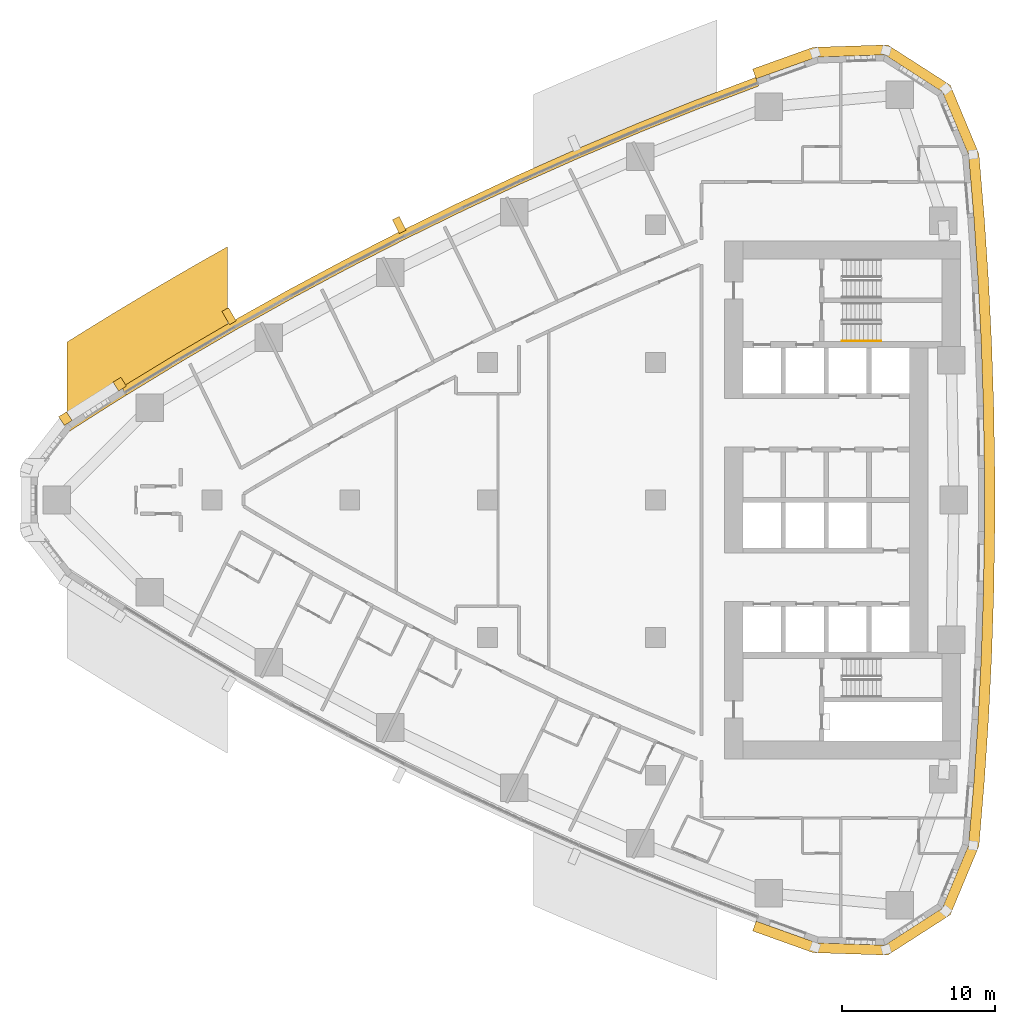
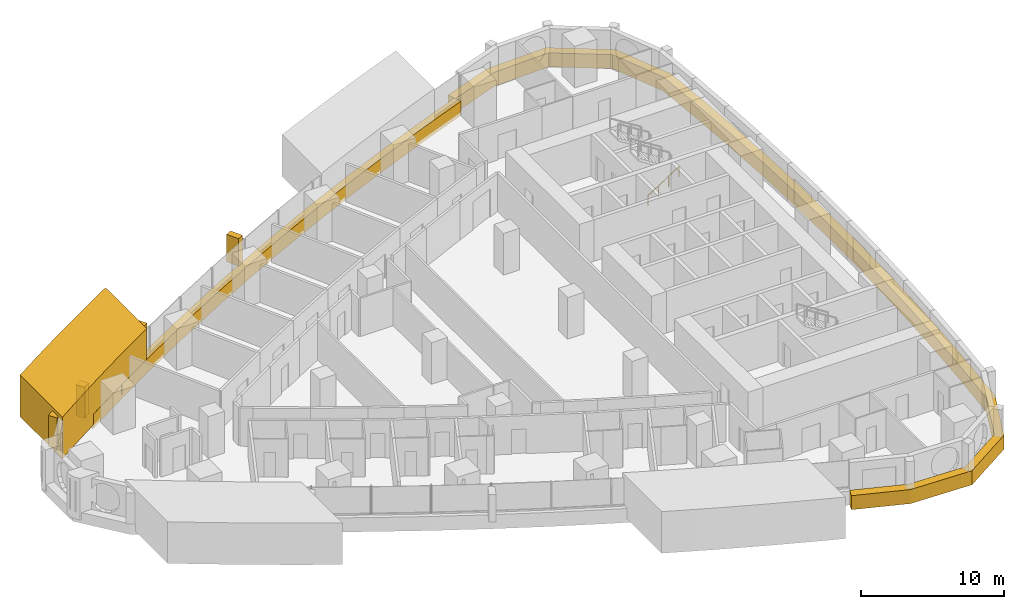
# One storey, part 17 of 19: 7 coverings, 1 railing.
"""IFC4 building model written with IfcOpenShell, lengths in metres."""

from ifc_helpers import new_model, si_unit, direction, frame, frame_2d, origin, origin_2d, place, context, subcontext, project, spatial, polyline, rectangle, circle, outline, extrude, material, layer, layer_set, type_object, element, save


model = new_model("IFC4")

# Units and contexts
model_context = context("Model", 3, precision=1e-05, world=origin(), true_north=direction((0.0, 1.0)))
body_context = subcontext(model_context, "Body", "Model", "MODEL_VIEW")
ifc_project = project(units=[si_unit("LENGTHUNIT", "METRE"), si_unit("AREAUNIT", "SQUARE_METRE"), si_unit("VOLUMEUNIT", "CUBIC_METRE"), si_unit("PLANEANGLEUNIT", "RADIAN"), si_unit("MASSUNIT", "GRAM", prefix="KILO")], contexts=[model_context])

# Site, building, storey
site_placement = place(None, origin())
site = spatial("IfcSite", under=ifc_project, at=site_placement, CompositionType="ELEMENT")
building_placement = place(site_placement, origin())
building = spatial("IfcBuilding", under=site, at=building_placement, Name="Ostrand Prow Hotel Tower", CompositionType="ELEMENT")
storey_placement = place(building_placement, frame((0.0, 0.0, 46.699951171875)))
storey = spatial("IfcBuildingStorey", under=building, at=storey_placement, Name="L09", CompositionType="ELEMENT", Elevation=46.699951171875)

# Coverings
ifc_material_1 = material(Name="Bronze anodised aluminium cladding", Category="aluminium")
ifc_layer_1 = layer(ifc_material_1, 0.60009765625)
ifc_layer_set_1 = layer_set([ifc_layer_1], Name="Bronze anodised aluminium cladding")
covering_type_1 = type_object("IfcCoveringType", Name="Bronze spandrel band 1200x600", PredefinedType="CLADDING", material=ifc_layer_set_1)
covering_1_placement = place(storey_placement, frame((0.0, 0.0, -0.300048828125)))
element("IfcCovering", 1, at=covering_1_placement, inside=storey, type_object=covering_type_1, Name="Spandrel band N1", PredefinedType="CLADDING", context=body_context, shape_type="SweptSolid", body=[
    extrude(outline(polyline([(51.5361328125, 27.6328125), (47.607666015625, 26.142578125), (43.70751953125, 24.580078125), (39.83642578125, 22.946044921875), (35.996337890625, 21.2412109375), (32.188232421875, 19.4658203125), (28.413330078125, 17.62060546875), (24.673095703125, 15.70654296875), (20.968994140625, 13.723876953125), (17.301513671875, 11.673095703125), (13.672607421875, 9.555419921875), (10.08349609375, 7.371337890625), (10.39990234375, 6.86181640625), (13.97998046875, 9.0400390625), (17.59912109375, 11.152099609375), (21.2568359375, 13.197509765625), (24.951416015625, 15.1748046875), (28.681884765625, 17.083984375), (32.44677734375, 18.92431640625), (36.244873046875, 20.695068359375), (40.074951171875, 22.3955078125), (43.935791015625, 24.025146484375), (47.82568359375, 25.58349609375), (51.743896484375, 27.070068359375), (51.5361328125, 27.6328125)])), origin(), (0.0, 0.0, 1.0), 1.2001953125),
])
covering_2_placement = place(storey_placement, frame((0.0, 0.0, -0.300048828125)))
element("IfcCovering", 2, at=covering_2_placement, inside=storey, type_object=covering_type_1, Name="Spandrel band back 1", PredefinedType="CLADDING", context=body_context, shape_type="SweptSolid", body=[
    extrude(outline(polyline([(51.335205078125, -28.177001953125), (55.300537109375, -29.5986328125), (60.16796875, -29.758056640625), (64.26318359375, -27.123046875), (66.13525390625, -22.627197265625), (66.48046875, -18.521728515625), (66.756591796875, -14.411376953125), (66.964111328125, -10.296630859375), (67.102294921875, -6.17919921875), (67.17138671875, -2.059814453125), (67.17138671875, 2.059814453125), (67.102294921875, 6.17919921875), (66.964111328125, 10.296630859375), (66.756591796875, 14.411376953125), (66.48046875, 18.521728515625), (66.13525390625, 22.627197265625), (64.26318359375, 27.123046875), (60.16796875, 29.758056640625), (55.300537109375, 29.5986328125), (51.335205078125, 28.177001953125), (51.57080078125, 27.5390625), (55.524169921875, 28.956298828125), (59.98681640625, 29.1025390625), (63.74169921875, 26.6865234375), (65.4580078125, 22.564453125), (65.802490234375, 18.470458984375), (66.077880859375, 14.371337890625), (66.28466796875, 10.26806640625), (66.422607421875, 6.162109375), (66.491455078125, 2.05419921875), (66.491455078125, -2.05419921875), (66.422607421875, -6.162109375), (66.28466796875, -10.26806640625), (66.077880859375, -14.371337890625), (65.802490234375, -18.470458984375), (65.4580078125, -22.564453125), (63.74169921875, -26.6865234375), (59.98681640625, -29.1025390625), (55.524169921875, -28.956298828125), (51.57080078125, -27.5390625), (51.335205078125, -28.177001953125)])), origin(), (0.0, 0.0, 1.0), 1.2001953125),
])
ifc_material_2 = material(Name="Limestone cladding", Category="masonry")
ifc_layer_2 = layer(ifc_material_2, 5.0)
ifc_layer_set_2 = layer_set([ifc_layer_2], Name="Limestone cladding")
covering_type_2 = type_object("IfcCoveringType", Name="Portal jamb pilaster limestone", PredefinedType="CLADDING", material=ifc_layer_set_2)
covering_3_placement = place(storey_placement, origin())
element("IfcCovering", 3, at=covering_3_placement, inside=storey, type_object=covering_type_2, Name="Portal jamb NA L09", PredefinedType="CLADDING", context=body_context, shape_type="SweptSolid", body=[
    extrude(outline(polyline([(6.5, 4.3837890625), (7.45458984375, 5.00048828125), (8.4091796875, 5.610595703125), (9.363525390625, 6.214111328125), (10.318115234375, 6.810791015625), (11.272705078125, 7.401123046875), (12.227294921875, 7.98486328125), (13.181884765625, 8.562255859375), (14.136474609375, 9.13330078125), (15.0908203125, 9.697998046875), (16.04541015625, 10.25634765625), (17.0, 10.80859375), (17.0, 16.556640625), (16.04541015625, 16.020263671875), (15.0908203125, 15.4775390625), (14.136474609375, 14.92919921875), (13.181884765625, 14.37451171875), (12.227294921875, 13.81396484375), (11.272705078125, 13.247314453125), (10.318115234375, 12.67431640625), (9.363525390625, 12.09521484375), (8.4091796875, 11.509521484375), (7.45458984375, 10.917724609375), (6.5, 10.319580078125), (6.5, 4.3837890625)])), origin(), (0.0, 0.0, 1.0), 3.550048828125),
])
ifc_material_3 = material(Name="Limestone cladding", Category="masonry")
ifc_layer_3 = layer(ifc_material_3, 0.5)
ifc_layer_set_3 = layer_set([ifc_layer_3], Name="Limestone cladding")
covering_type_3 = type_object("IfcCoveringType", Name="Precast stone fin 500x900", PredefinedType="CLADDING", material=ifc_layer_set_3)
for number, where, z_axis, x_axis, name in (
    (4, (28.458251953125, 17.53125, 0.900146484375), (0.0, 0.0, 1.0), (-0.447506538147, 0.894280659701, 0.0), "Stone fin N 7"),
    (5, (17.351318359375, 11.58642578125, 0.900146484375), (0.0, 0.0, 1.0), (-0.496138938357, 0.868243142124, 0.0), "Stone fin N 10"),
):
    element("IfcCovering", number, at=place(storey_placement, frame(where, z_axis=z_axis, x_axis=x_axis)), inside=storey, type_object=covering_type_3, Name=name, PredefinedType="CLADDING", context=body_context, shape_type="SweptSolid", body=[
        extrude(rectangle(XDim=1.0, YDim=0.5, at=frame_2d((0.5, 0.0))), origin(), (0.0, 0.0, 1.0), 2.349853515625),
    ])
ifc_material_4 = material(Name="Limestone cladding", Category="masonry")
ifc_layer_4 = layer(ifc_material_4, 0.60009765625)
ifc_layer_set_4 = layer_set([ifc_layer_4], Name="Limestone cladding")
covering_type_4 = type_object("IfcCoveringType", Name="Precast stone prow rib 600x600", PredefinedType="CLADDING", material=ifc_layer_set_4)
for number, where, z_axis, x_axis, name in (
    (6, (10.13623046875, 7.286376953125, 0.60009765625), (0.0, 0.0, 1.0), (-0.527738148304, 0.849407114889, 0.0), "Stone prow rib 1"),
    (7, (6.589111328125, 5.03759765625, 0.60009765625), (0.0, 0.0, 1.0), (-0.543295944087, 0.839541253983, 0.0), "Stone prow rib 2"),
):
    element("IfcCovering", number, at=place(storey_placement, frame(where, z_axis=z_axis, x_axis=x_axis)), inside=storey, type_object=covering_type_4, Name=name, PredefinedType="CLADDING", context=body_context, shape_type="SweptSolid", body=[
        extrude(rectangle(XDim=0.679931640625, YDim=0.60009765625, at=frame_2d((0.33984375, 0.0))), origin(), (0.0, 0.0, 1.0), 2.64990234375),
    ])

# Railing
ifc_material_5 = material(Name="Stainless steel", Category="steel")
railing_type = type_object("IfcRailingType", Name="Stair handrail 900", PredefinedType="HANDRAIL", material=ifc_material_5)
railing_placement = place(storey_placement, frame((57.199951171875, 10.39990234375, 0.177490234375)))
element("IfcRailing", 8, at=railing_placement, inside=storey, type_object=railing_type, Name="L09 ST1C stair handrail 1", PredefinedType="HANDRAIL", context=body_context, shape_type="SweptSolid", body=[
    extrude(circle(Radius=0.02392578125, at=origin_2d()), frame((0.0, 0.0, 0.8759765625), z_axis=(0.84456994832, 0.0, 0.535445237532), x_axis=(0.0, 1.0, 0.0)), (0.0, 0.0, 1.0), 2.98388671875),
    extrude(circle(Radius=0.02099609375, at=origin_2d()), origin(), (0.0, 0.0, 1.0), 0.851806640625),
    extrude(circle(Radius=0.02099609375, at=origin_2d()), frame((0.840087890625, 0.0, 0.532470703125)), (0.0, 0.0, 1.0), 0.851806640625),
    extrude(circle(Radius=0.02099609375, at=origin_2d()), frame((1.679931640625, 0.0, 1.065185546875)), (0.0, 0.0, 1.0), 0.851806640625),
    extrude(circle(Radius=0.02099609375, at=origin_2d()), frame((2.52001953125, 0.0, 1.59765625)), (0.0, 0.0, 1.0), 0.851806640625),
])

save(model, "model.ifc")
